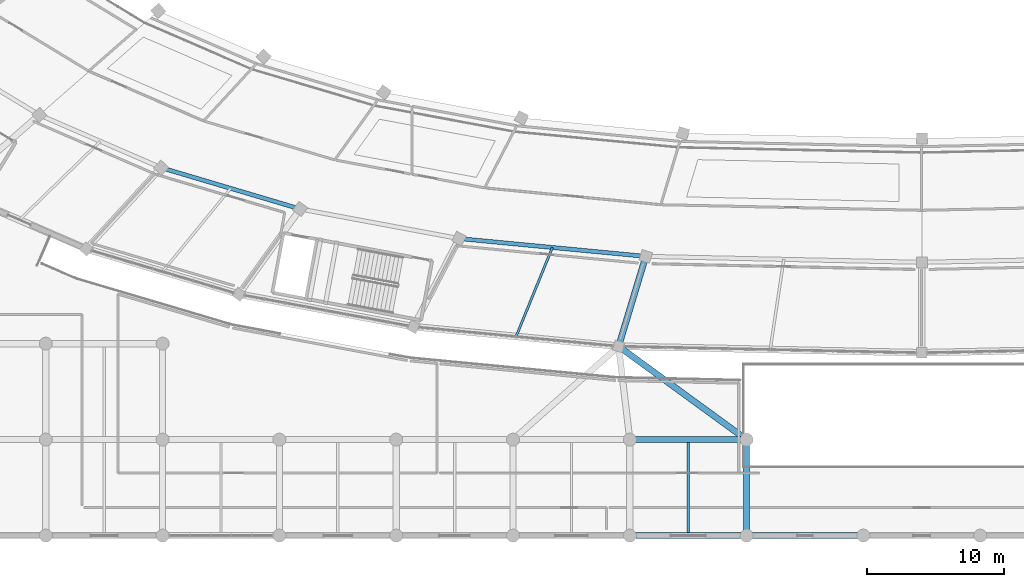
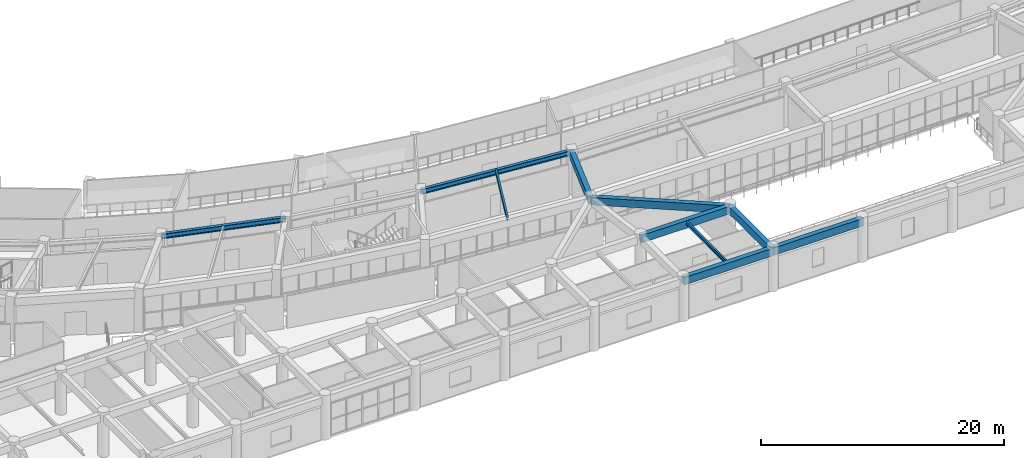
# One storey, part 23 of 141: 10 beams.
"""IFC4 building model written with IfcOpenShell, lengths in metres."""

import ifcopenshell
import ifcopenshell.guid

model = None  # the IFC model being written
_history = None  # IfcOwnerHistory: only IFC2X3 demands one
_inside = {}  # id of a spatial element -> (the spatial element, [elements in it])
_under = {}  # id of a project, library or spatial element -> (it, [spatial elements below it])
_declared = {}  # id of a project -> (the project, [libraries it declares])
_typed = {}  # id of a type object -> (the type object, [elements of that type])
_made_of = {}  # id of a material, layer set ... -> (it, [elements and type objects made of it])


def new_model(schema):
    """Start an empty IFC model of exactly this schema.

    Asked for "IFC4X3", IfcOpenShell would pick the latest addendum, in which some entities
    have other attributes; the version numbers below select the first issue.
    IFC2X3 requires an IfcOwnerHistory on every rooted entity: one is made here for all.
    """
    global model, _history
    if schema == "IFC4X3":
        model = ifcopenshell.file(schema_version=(4, 3, 0, 0))
    else:
        model = ifcopenshell.file(schema=schema)
    _inside.clear()
    _under.clear()
    _declared.clear()
    _typed.clear()
    _made_of.clear()
    _history = None
    if model.schema == "IFC2X3":
        org = make("IfcOrganization", Name="unknown")
        user = make(
            "IfcPersonAndOrganization",
            ThePerson=make("IfcPerson", FamilyName="unknown"),
            TheOrganization=org,
        )
        app = make(
            "IfcApplication",
            ApplicationDeveloper=org,
            Version="unknown",
            ApplicationFullName="unknown",
            ApplicationIdentifier="unknown",
        )
        _history = make(
            "IfcOwnerHistory",
            OwningUser=user,
            OwningApplication=app,
            ChangeAction="ADDED",
            CreationDate=0,
        )
    return model


def make(cls, **values):
    """One entity of the class cls with the attributes given. An attribute that is None is left unset."""
    return model.create_entity(
        cls, **{name: value for name, value in values.items() if value is not None}
    )


def rooted(cls, **values):
    """An entity with a GlobalId (a new one), such as an element, a storey or a relation."""
    return make(cls, GlobalId=ifcopenshell.guid.new(), OwnerHistory=_history, **values)


def si_unit(unit_type, name, prefix=None):
    """IfcSIUnit, for example si_unit("LENGTHUNIT", "METRE", prefix="MILLI")."""
    return make("IfcSIUnit", UnitType=unit_type, Prefix=prefix, Name=name)


def assignment(units):
    """IfcUnitAssignment: the units of a project."""
    return None if units is None else make("IfcUnitAssignment", Units=units)


def point(xyz):
    """IfcCartesianPoint."""
    return None if xyz is None else make("IfcCartesianPoint", Coordinates=xyz)


def direction(xyz):
    """IfcDirection."""
    return None if xyz is None else make("IfcDirection", DirectionRatios=xyz)


def frame(location, z_axis=None, x_axis=None):
    """IfcAxis2Placement3D, a coordinate frame: its origin and axes. An axis left out is left unset."""
    return make(
        "IfcAxis2Placement3D",
        Location=point(location),
        Axis=direction(z_axis),
        RefDirection=direction(x_axis),
    )


def frame_2d(location, x_axis=None):
    """IfcAxis2Placement2D, a coordinate frame in the plane: its origin and x axis."""
    return make(
        "IfcAxis2Placement2D", Location=point(location), RefDirection=direction(x_axis)
    )


def origin():
    """The frame at (0, 0, 0) with its axes left unset."""
    return frame((0.0, 0.0, 0.0))


def origin_2d():
    """The frame at (0, 0) in the plane with its x axis left unset."""
    return frame_2d((0.0, 0.0))


def place(relative_to, where):
    """IfcLocalPlacement: puts the frame where relative to a parent placement (None: the world)."""
    return make(
        "IfcLocalPlacement", PlacementRelTo=relative_to, RelativePlacement=where
    )


def context(
    kind, dimensions, precision=None, world=None, true_north=None, identifier=None
):
    """IfcGeometricRepresentationContext, for example the 3D "Model" context."""
    return make(
        "IfcGeometricRepresentationContext",
        ContextIdentifier=identifier,
        ContextType=kind,
        CoordinateSpaceDimension=dimensions,
        Precision=precision,
        WorldCoordinateSystem=world,
        TrueNorth=true_north,
    )


def subcontext(parent, identifier, kind, view, scale=None):
    """IfcGeometricRepresentationSubContext, for example "Body" below "Model"."""
    return make(
        "IfcGeometricRepresentationSubContext",
        ContextIdentifier=identifier,
        ContextType=kind,
        ParentContext=parent,
        TargetScale=scale,
        TargetView=view,
    )


def project(units=None, contexts=None):
    """IfcProject with its units and contexts."""
    return rooted(
        "IfcProject",
        Name="project",
        RepresentationContexts=contexts,
        UnitsInContext=assignment(units),
    )


def spatial(cls, under=None, at=None, **own):
    """A site, building, storey or space (cls), placed at a placement, below another one or the project."""
    s = rooted(cls, ObjectPlacement=at, **own)
    if under is not None:
        _under.setdefault(under.id(), (under, []))[1].append(s)
    return s


def profile(cls, at=None, kind="AREA", **sizes):
    """A parametric profile (cls). Its sizes go by their IFC names, for example OverallWidth=200.0."""
    return make(cls, ProfileType=kind, Position=at, **sizes)


def rectangle(**sizes):
    """IfcRectangleProfileDef."""
    return profile("IfcRectangleProfileDef", **sizes)


def i_section(**sizes):
    """IfcIShapeProfileDef."""
    return profile("IfcIShapeProfileDef", **sizes)


def extrude(swept, where, along, depth):
    """IfcExtrudedAreaSolid: the profile swept, set in the frame where, extruded along a direction by depth."""
    return make(
        "IfcExtrudedAreaSolid",
        SweptArea=swept,
        Position=where,
        ExtrudedDirection=direction(along),
        Depth=depth,
    )


def shape(context_of_items, identifier, shape_type, items):
    """IfcShapeRepresentation: the items that make up one representation, for example the "Body"."""
    return make(
        "IfcShapeRepresentation",
        ContextOfItems=context_of_items,
        RepresentationIdentifier=identifier,
        RepresentationType=shape_type,
        Items=items,
    )


def material(Name=None, Category=None):
    """IfcMaterial."""
    return make("IfcMaterial", Name=Name, Category=Category)


def material_profile(
    of_material, cross_section, Name=None, Category=None, Priority=None
):
    """IfcMaterialProfile: a cross section and its material."""
    return make(
        "IfcMaterialProfile",
        Name=Name,
        Material=of_material,
        Profile=cross_section,
        Priority=Priority,
        Category=Category,
    )


def profile_set(profiles, Name=None, composite=None):
    """IfcMaterialProfileSet."""
    return make(
        "IfcMaterialProfileSet",
        Name=Name,
        MaterialProfiles=profiles,
        CompositeProfile=composite,
    )


def made_of(thing, what):
    """Note that an element or type object is made of a material, layer set ...; save() writes the relation."""
    if what is not None:
        _made_of.setdefault(what.id(), (what, []))[1].append(thing)
    return thing


def type_object(cls, material=None, **own):
    """A type object (cls), such as IfcWallType, which elements share."""
    return made_of(rooted(cls, **own), material)


def element(
    cls,
    number,
    at=None,
    inside=None,
    cuts=None,
    type_object=None,
    material=None,
    context=None,
    identifier="Body",
    shape_type=None,
    held_by="IfcProductDefinitionShape",
    body=None,
    shapes=None,
    **own,
):
    """One element of the class cls, such as IfcWall. Its Tag is "e" and its number.

    at: its placement. inside: the storey or other place that contains it. cuts: it is an
    opening in that element (IfcRelVoidsElement). A single representation is given by context,
    identifier, shape_type and body (its items); several are given by shapes. held_by: the class
    of the entity that holds the representations. save() writes the other relations.
    """
    e = rooted(cls, Tag="e%d" % number, ObjectPlacement=at, **own)
    if body is not None:
        shapes = [shape(context, identifier, shape_type, body)]
    if shapes is not None:
        e.Representation = make(held_by, Representations=shapes)
    if inside is not None:
        _inside.setdefault(inside.id(), (inside, []))[1].append(e)
    if cuts is not None:
        rooted(
            "IfcRelVoidsElement", RelatingBuildingElement=cuts, RelatedOpeningElement=e
        )
    if type_object is not None:
        _typed.setdefault(type_object.id(), (type_object, []))[1].append(e)
    return made_of(e, material)


def aggregate(whole, parts):
    """IfcRelAggregates: a whole, such as a stair, and the parts it consists of."""
    return rooted("IfcRelAggregates", RelatingObject=whole, RelatedObjects=parts)


def save(model, path):
    """Write the relations noted so far, then the file.

    IfcRelAggregates (storeys below a building ...), IfcRelContainedInSpatialStructure (elements
    in a storey), IfcRelDefinesByType, IfcRelAssociatesMaterial and IfcRelDeclares: one each for
    every whole, place, type object, material and project.
    """
    for whole, parts in _under.values():
        aggregate(whole, parts)
    for where, things in _inside.values():
        rooted(
            "IfcRelContainedInSpatialStructure",
            RelatedElements=things,
            RelatingStructure=where,
        )
    for kind, things in _typed.values():
        rooted("IfcRelDefinesByType", RelatedObjects=things, RelatingType=kind)
    for what, things in _made_of.values():
        rooted("IfcRelAssociatesMaterial", RelatedObjects=things, RelatingMaterial=what)
    for by, libraries in _declared.values():
        rooted("IfcRelDeclares", RelatingContext=by, RelatedDefinitions=libraries)
    model.write(path)


model = new_model("IFC4")

# Units and contexts
model_context = context("Model", 3, precision=1e-05, world=origin(), true_north=direction((0.0, 1.0)))
body_context = subcontext(model_context, "Body", "Model", "MODEL_VIEW")
ifc_project = project(units=[si_unit("LENGTHUNIT", "METRE"), si_unit("AREAUNIT", "SQUARE_METRE"), si_unit("VOLUMEUNIT", "CUBIC_METRE"), si_unit("PLANEANGLEUNIT", "RADIAN"), si_unit("MASSUNIT", "GRAM", prefix="KILO")], contexts=[model_context])

# Site, building, storey
site_placement = place(None, origin())
site = spatial("IfcSite", under=ifc_project, at=site_placement, CompositionType="ELEMENT")
building_placement = place(site_placement, origin())
building = spatial("IfcBuilding", under=site, at=building_placement, Name="Mphavela Belvedere Stadium", CompositionType="ELEMENT")
storey_placement = place(building_placement, frame((0.0, 0.0, 14.699951171875)))
storey = spatial("IfcBuildingStorey", under=building, at=storey_placement, Name="L03", CompositionType="ELEMENT", Elevation=14.699951171875)

# Beams
ifc_material_1 = material(Name="Steel S355", Category="steel")
ifc_material_profile_1 = material_profile(ifc_material_1, i_section(OverallWidth=0.169921875, OverallDepth=0.360107421875, WebThickness=0.008056640625, FlangeThickness=0.0126953125, at=origin_2d()), Name="IPE 360")
ifc_profile_set_1 = profile_set([ifc_material_profile_1], Name="Steel S355")
beam_type_1 = type_object("IfcBeamType", Name="BM-JOIST-IPE360", PredefinedType="JOIST", material=ifc_profile_set_1)
beam_1_placement = place(storey_placement, frame((88.05859375, 21.015380859375, 4.070068359375), z_axis=(-0.378004122754, -0.925803911841, 0.0), x_axis=(0.925803911841, -0.378004122754, 0.0)))
element("IfcBeam", 1, at=beam_1_placement, inside=storey, type_object=beam_type_1, Name="Concourse floor joist L03-35", PredefinedType="JOIST", context=body_context, shape_type="SweptSolid", body=[
    extrude(i_section(OverallWidth=0.169921875, OverallDepth=0.360107421875, WebThickness=0.008056640625, FlangeThickness=0.0126953125, at=origin_2d()), origin(), (0.0, 0.0, 1.0), 7.0166015625),
])
beam_2_placement = place(storey_placement, frame((97.962890625, 0.22509765625, 4.06005859375), z_axis=(0.0, 1.0, 0.0), x_axis=(-1.0, 0.0, 0.0)))
element("IfcBeam", 2, at=beam_2_placement, inside=storey, type_object=beam_type_1, Name="South Axial Triumphal Peristyle Portico secondary joist L03 12-1", PredefinedType="JOIST", context=body_context, shape_type="SweptSolid", body=[
    extrude(i_section(OverallWidth=0.169921875, OverallDepth=0.360107421875, WebThickness=0.008056640625, FlangeThickness=0.0126953125, at=origin_2d()), origin(), (0.0, 0.0, 1.0), 6.5498046875),
])
ifc_material_2 = material(Name="Concrete C40/50", Category="concrete")
ifc_material_profile_2 = material_profile(ifc_material_2, rectangle(XDim=0.449951171875, YDim=0.75, at=origin_2d()), Name="RC 450x750")
ifc_profile_set_2 = profile_set([ifc_material_profile_2], Name="Concrete C40/50")
beam_type_2 = type_object("IfcBeamType", Name="BM-RC450x750", PredefinedType="BEAM", material=ifc_profile_set_2)
beam_3_placement = place(storey_placement, frame((94.8671875, 20.365966796875, 3.875), z_axis=(-0.28918755919, -0.95727245631, 0.0), x_axis=(0.95727245631, -0.28918755919, 0.0)))
element("IfcBeam", 3, at=beam_3_placement, inside=storey, type_object=beam_type_2, Name="Radial concourse girder L03 R3R4-36", PredefinedType="BEAM", context=body_context, shape_type="SweptSolid", body=[
    extrude(rectangle(XDim=0.449951171875, YDim=0.75, at=origin_2d()), origin(), (0.0, 0.0, 1.0), 6.8525390625),
])
for number, where, z_axis, x_axis, name in (
    (4, (93.7041015625, 0.0, 3.864990234375), (1.0, 0.0, 0.0), (0.0, 1.0, 0.0), "South Axial Triumphal Peristyle Portico entablature beam X L03 12-1"),
    (5, (93.7041015625, 7.0, 3.864990234375), (1.0, 0.0, 0.0), (0.0, 1.0, 0.0), "South Axial Triumphal Peristyle Portico entablature beam X L03 12-2"),
):
    element("IfcBeam", number, at=place(storey_placement, frame(where, z_axis=z_axis, x_axis=x_axis)), inside=storey, type_object=beam_type_2, Name=name, PredefinedType="BEAM", context=body_context, shape_type="SweptSolid", body=[
        extrude(rectangle(XDim=0.449951171875, YDim=0.75, at=origin_2d()), origin(), (0.0, 0.0, 1.0), 8.517822265625),
    ])
beam_4_placement = place(storey_placement, frame((102.221923828125, 0.0, 3.864990234375), z_axis=(1.0, 0.0, 0.0), x_axis=(0.0, 1.0, 0.0)))
element("IfcBeam", 6, at=beam_4_placement, inside=storey, type_object=beam_type_2, Name="South Axial Triumphal Peristyle Portico entablature beam X L03 13-1", PredefinedType="BEAM", context=body_context, shape_type="SweptSolid", body=[
    extrude(rectangle(XDim=0.449951171875, YDim=0.75, at=origin_2d()), origin(), (0.0, 0.0, 1.0), 8.51904296875),
])
beam_5_placement = place(storey_placement, frame((102.221923828125, 0.0, 3.864990234375), z_axis=(0.0, 1.0, 0.0), x_axis=(-1.0, 0.0, 0.0)))
element("IfcBeam", 7, at=beam_5_placement, inside=storey, type_object=beam_type_2, Name="South Axial Triumphal Peristyle Portico entablature beam Y L03 13-1", PredefinedType="BEAM", context=body_context, shape_type="SweptSolid", body=[
    extrude(rectangle(XDim=0.449951171875, YDim=0.75, at=origin_2d()), origin(), (0.0, 0.0, 1.0), 7.0),
])
beam_6_placement = place(storey_placement, frame((102.221923828125, 7.0, 3.864990234375), z_axis=(-0.808075844415, 0.589078457994, 0.0), x_axis=(-0.589078457994, -0.808075844415, 0.0)))
element("IfcBeam", 8, at=beam_6_placement, inside=storey, type_object=beam_type_2, Name="South Axial Triumphal Peristyle Portico bowl link girder L03-1", PredefinedType="BEAM", context=body_context, shape_type="SweptSolid", body=[
    extrude(rectangle(XDim=0.449951171875, YDim=0.75, at=origin_2d()), origin(), (0.0, 0.0, 1.0), 11.553955078125),
])
ifc_material_3 = material(Name="Steel S355", Category="steel")
ifc_material_profile_3 = material_profile(ifc_material_3, i_section(OverallWidth=0.300048828125, OverallDepth=0.489990234375, WebThickness=0.011962890625, FlangeThickness=0.02294921875, at=origin_2d()), Name="HEA 500")
ifc_profile_set_3 = profile_set([ifc_material_profile_3], Name="Steel S355")
beam_type_3 = type_object("IfcBeamType", Name="BM-STEEL-HEA500", PredefinedType="BEAM", material=ifc_profile_set_3)
beam_7_placement = place(storey_placement, frame((59.523681640625, 26.83203125, 4.005126953125), z_axis=(0.958655230784, -0.284570111731, 0.0), x_axis=(0.284570111731, 0.958655230784, 0.0)))
element("IfcBeam", 9, at=beam_7_placement, inside=storey, type_object=beam_type_3, Name="Circumferential girder L03 R3-33", PredefinedType="BEAM", context=body_context, shape_type="SweptSolid", body=[
    extrude(i_section(OverallWidth=0.300048828125, OverallDepth=0.489990234375, WebThickness=0.011962890625, FlangeThickness=0.02294921875, at=origin_2d()), origin(), (0.0, 0.0, 1.0), 10.57568359375),
])
beam_8_placement = place(storey_placement, frame((81.249755859375, 21.66455078125, 4.005126953125), z_axis=(0.995483834103, -0.094931217412, 0.0), x_axis=(0.094931217412, 0.995483834103, 0.0)))
element("IfcBeam", 10, at=beam_8_placement, inside=storey, type_object=beam_type_3, Name="Circumferential girder L03 R3-35", PredefinedType="BEAM", context=body_context, shape_type="SweptSolid", body=[
    extrude(i_section(OverallWidth=0.300048828125, OverallDepth=0.489990234375, WebThickness=0.011962890625, FlangeThickness=0.02294921875, at=origin_2d()), origin(), (0.0, 0.0, 1.0), 13.67919921875),
])

save(model, "model.ifc")
